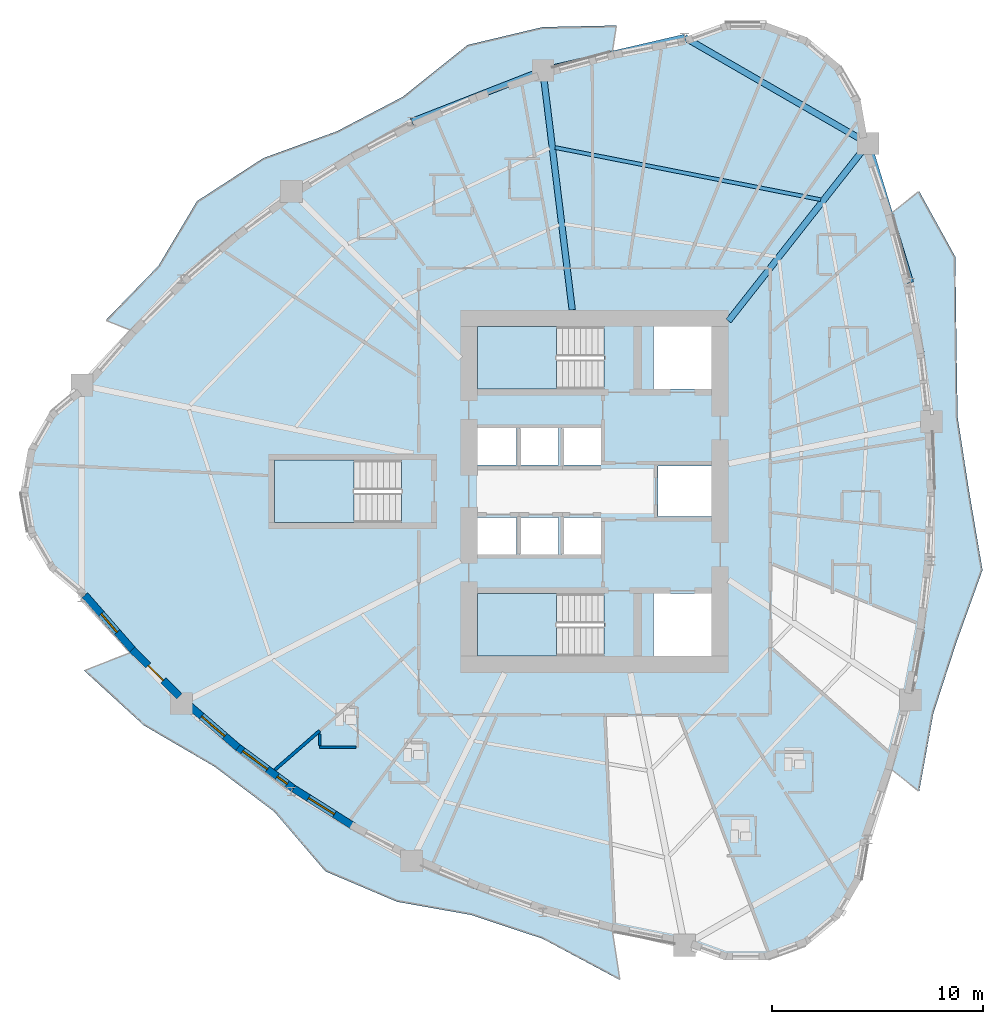
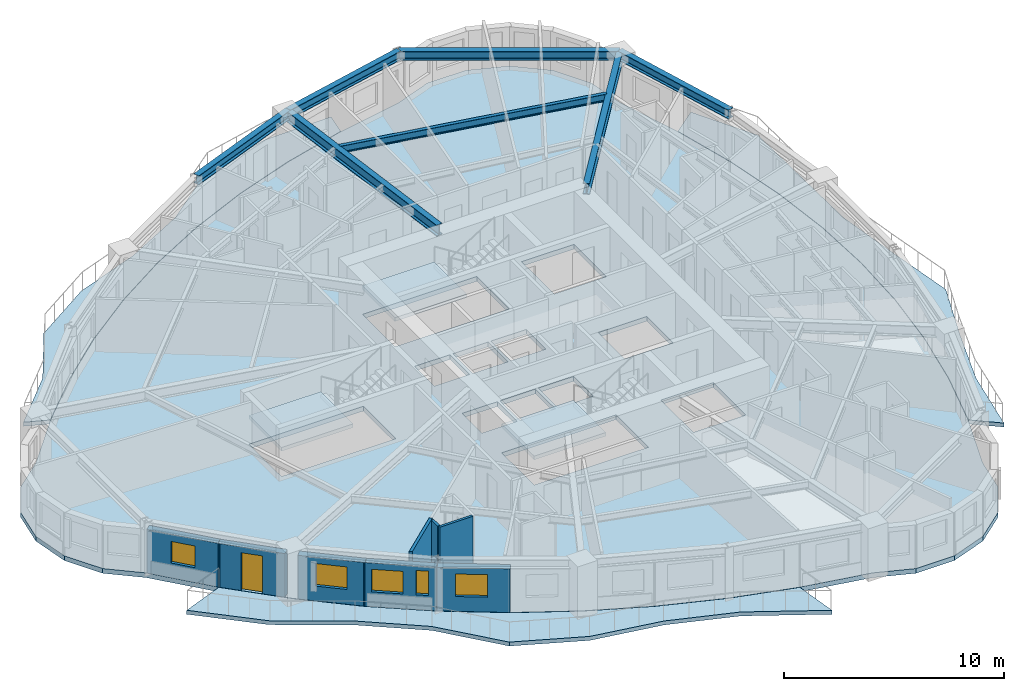
# One storey, part 2 of 14: 8 walls, 7 beams, 7 slabs, 5 windows, 1 door, 6 openings, 3 elements without a shape of their own.
"""IFC4 building model written with IfcOpenShell, lengths in metres."""

from ifc_helpers import new_model, si_unit, direction, frame, frame_2d, origin, origin_2d, place, context, subcontext, project, spatial, polyline, rectangle, i_section, outline, extrude, source, transform, mapped, material, layer, layer_set, material_profile, profile_set, type_object, element, fill, aggregate, save


model = new_model("IFC4")

# Units and contexts
model_context = context("Model", 3, precision=1e-05, world=origin(), true_north=direction((0.0, 1.0)))
body_context = subcontext(model_context, "Body", "Model", "MODEL_VIEW")
ifc_project = project(units=[si_unit("LENGTHUNIT", "METRE"), si_unit("AREAUNIT", "SQUARE_METRE"), si_unit("VOLUMEUNIT", "CUBIC_METRE"), si_unit("PLANEANGLEUNIT", "RADIAN"), si_unit("MASSUNIT", "GRAM", prefix="KILO")], contexts=[model_context])

# Site, building, storey
site_placement = place(None, origin())
site = spatial("IfcSite", under=ifc_project, at=site_placement, CompositionType="ELEMENT")
building_placement = place(site_placement, origin())
building = spatial("IfcBuilding", under=site, at=building_placement, Name="Qafzar Sky-Pleat Residences", CompositionType="ELEMENT")
storey_placement = place(building_placement, frame((0.0, 0.0, 43.0)))
storey = spatial("IfcBuildingStorey", under=building, at=storey_placement, Name="L12", CompositionType="ELEMENT", Elevation=43.0)

# Beams
ifc_material_1 = material(Name="Steel S355", Category="steel")
ifc_material_profile_1 = material_profile(ifc_material_1, i_section(OverallWidth=0.300048828125, OverallDepth=0.5, WebThickness=0.014404296875, FlangeThickness=0.028076171875, FilletRadius=0.027099609375, at=origin_2d()), Name="HEB 500")
ifc_profile_set_1 = profile_set([ifc_material_profile_1], Name="Steel S355")
beam_type_1 = type_object("IfcBeamType", Name="BM-SPAN-HEB500", PredefinedType="SPANDREL", material=ifc_profile_set_1)
shared_shape_1 = source(origin(), body_context, "Body", "SweptSolid", [
    extrude(i_section(OverallWidth=0.300048828125, OverallDepth=0.5, WebThickness=0.014404296875, FlangeThickness=0.028076171875, FilletRadius=0.027099609375, at=origin_2d()), origin(), (0.0, 0.0, 1.0), 10.0458984375),
])
beam_1_placement = place(storey_placement, frame((43.3173828125, 42.48486328125, 2.68798828125), z_axis=(-0.866024107753, 0.500002244785, 0.0), x_axis=(-0.500002244785, -0.866024107753, 0.0)))
element("IfcBeam", 1, at=beam_1_placement, inside=storey, type_object=beam_type_1, Name="L12 Perimeter Spandrel Beam 13", PredefinedType="SPANDREL", context=body_context, shape_type="MappedRepresentation", body=[
    mapped(shared_shape_1, transform((0.0, 0.0, 0.0), x_axis=(1.0, 0.0, 0.0), y_axis=(0.0, 1.0, 0.0), z_axis=(0.0, 0.0, 1.0), scale=1.0)),
])
shared_shape_2 = source(origin(), body_context, "Body", "SweptSolid", [
    extrude(i_section(OverallWidth=0.300048828125, OverallDepth=0.5, WebThickness=0.014404296875, FlangeThickness=0.028076171875, FilletRadius=0.027099609375, at=origin_2d()), origin(), (0.0, 0.0, 1.0), 6.891845703125),
])
beam_2_placement = place(storey_placement, frame((34.617431640625, 47.5078125, 2.68798828125), z_axis=(-0.974009481097, -0.226507242122, 0.0), x_axis=(0.226507242122, -0.974009481097, 0.0)))
element("IfcBeam", 2, at=beam_2_placement, inside=storey, type_object=beam_type_1, Name="L12 Perimeter Spandrel Beam 14", PredefinedType="SPANDREL", context=body_context, shape_type="MappedRepresentation", body=[
    mapped(shared_shape_2, transform((0.0, 0.0, 0.0), x_axis=(1.0, 0.0, 0.0), y_axis=(0.0, 1.0, 0.0), z_axis=(0.0, 0.0, 1.0), scale=1.0)),
])
shared_shape_3 = source(origin(), body_context, "Body", "SweptSolid", [
    extrude(i_section(OverallWidth=0.300048828125, OverallDepth=0.5, WebThickness=0.014404296875, FlangeThickness=0.028076171875, FilletRadius=0.027099609375, at=origin_2d()), origin(), (0.0, 0.0, 1.0), 6.669677734375),
])
beam_3_placement = place(storey_placement, frame((27.90478515625, 45.94677734375, 2.68798828125), z_axis=(-0.931329164227, -0.364178510981, 0.0), x_axis=(0.364178510981, -0.931329164227, 0.0)))
element("IfcBeam", 3, at=beam_3_placement, inside=storey, type_object=beam_type_1, Name="L12 Perimeter Spandrel Beam 15", PredefinedType="SPANDREL", context=body_context, shape_type="MappedRepresentation", body=[
    mapped(shared_shape_3, transform((0.0, 0.0, 0.0), x_axis=(1.0, 0.0, 0.0), y_axis=(0.0, 1.0, 0.0), z_axis=(0.0, 0.0, 1.0), scale=1.0)),
])
shared_shape_4 = source(origin(), body_context, "Body", "SweptSolid", [
    extrude(i_section(OverallWidth=0.300048828125, OverallDepth=0.5, WebThickness=0.014404296875, FlangeThickness=0.028076171875, FilletRadius=0.027099609375, at=origin_2d()), origin(), (0.0, 0.0, 1.0), 6.89208984375),
])
beam_4_placement = place(storey_placement, frame((45.322021484375, 35.890869140625, 2.68798828125), z_axis=(-0.290865585576, 0.95676392654, 0.0), x_axis=(-0.95676392654, -0.290865585576, 0.0)))
element("IfcBeam", 4, at=beam_4_placement, inside=storey, type_object=beam_type_1, Name="L12 Perimeter Spandrel Beam 12", PredefinedType="SPANDREL", context=body_context, shape_type="MappedRepresentation", body=[
    mapped(shared_shape_4, transform((0.0, 0.0, 0.0), x_axis=(1.0, 0.0, 0.0), y_axis=(0.0, 1.0, 0.0), z_axis=(0.0, 0.0, 1.0), scale=1.0)),
])
ifc_material_profile_2 = material_profile(ifc_material_1, i_section(OverallWidth=0.300048828125, OverallDepth=0.60009765625, WebThickness=0.015380859375, FlangeThickness=0.030029296875, FilletRadius=0.027099609375, at=origin_2d()), Name="HEB 600")
ifc_profile_set_2 = profile_set([ifc_material_profile_2], Name="Steel S355")
beam_type_2 = type_object("IfcBeamType", Name="BM-GIRD-HEB600", PredefinedType="BEAM", material=ifc_profile_set_2)
shared_shape_5 = source(origin(), body_context, "Body", "SweptSolid", [
    extrude(i_section(OverallWidth=0.300048828125, OverallDepth=0.60009765625, WebThickness=0.015380859375, FlangeThickness=0.030029296875, FilletRadius=0.027099609375, at=origin_2d()), origin(), (0.0, 0.0, 1.0), 10.703125),
])
beam_5_placement = place(storey_placement, frame((43.3173828125, 42.48486328125, 2.637939453125), z_axis=(-0.618267724454, -0.785967569877, 0.0), x_axis=(0.785967569877, -0.618267724454, 0.0)))
element("IfcBeam", 5, at=beam_5_placement, inside=storey, type_object=beam_type_2, Name="L12 Radial Floor Girder 13", PredefinedType="BEAM", context=body_context, shape_type="MappedRepresentation", body=[
    mapped(shared_shape_5, transform((0.0, 0.0, 0.0), x_axis=(1.0, 0.0, 0.0), y_axis=(0.0, 1.0, 0.0), z_axis=(0.0, 0.0, 1.0), scale=1.0)),
])
shared_shape_6 = source(origin(), body_context, "Body", "SweptSolid", [
    extrude(i_section(OverallWidth=0.300048828125, OverallDepth=0.60009765625, WebThickness=0.015380859375, FlangeThickness=0.030029296875, FilletRadius=0.027099609375, at=origin_2d()), origin(), (0.0, 0.0, 1.0), 11.431640625),
])
beam_6_placement = place(storey_placement, frame((27.90478515625, 45.94677734375, 2.637939453125), z_axis=(0.121668724552, -0.992570763959, 0.0), x_axis=(0.992570763959, 0.121668724552, 0.0)))
element("IfcBeam", 6, at=beam_6_placement, inside=storey, type_object=beam_type_2, Name="L12 Radial Floor Girder 15", PredefinedType="BEAM", context=body_context, shape_type="MappedRepresentation", body=[
    mapped(shared_shape_6, transform((0.0, 0.0, 0.0), x_axis=(1.0, 0.0, 0.0), y_axis=(0.0, 1.0, 0.0), z_axis=(0.0, 0.0, 1.0), scale=1.0)),
])
ifc_material_profile_3 = material_profile(ifc_material_1, i_section(OverallWidth=0.179931640625, OverallDepth=0.39990234375, WebThickness=0.008544921875, FlangeThickness=0.013427734375, FilletRadius=0.02099609375, at=origin_2d()), Name="IPE 400")
ifc_profile_set_3 = profile_set([ifc_material_profile_3], Name="Steel S355")
beam_type_3 = type_object("IfcBeamType", Name="BM-JST-IPE400", PredefinedType="JOIST", material=ifc_profile_set_3)
shared_shape_7 = source(origin(), body_context, "Body", "SweptSolid", [
    extrude(i_section(OverallWidth=0.179931640625, OverallDepth=0.39990234375, WebThickness=0.008544921875, FlangeThickness=0.013427734375, FilletRadius=0.02099609375, at=origin_2d()), origin(), (0.0, 0.0, 1.0), 12.8251953125),
])
beam_7_placement = place(storey_placement, frame((41.0673828125, 39.81884765625, 2.738037109375), z_axis=(-0.981265018358, 0.192662823986, 0.0), x_axis=(-0.192662823986, -0.981265018358, 0.0)))
element("IfcBeam", 7, at=beam_7_placement, inside=storey, type_object=beam_type_3, Name="L12 Outer Secondary Floor Joist 7", PredefinedType="JOIST", context=body_context, shape_type="MappedRepresentation", body=[
    mapped(shared_shape_7, transform((0.0, 0.0, 0.0), x_axis=(1.0, 0.0, 0.0), y_axis=(0.0, 1.0, 0.0), z_axis=(0.0, 0.0, 1.0), scale=1.0)),
])

# Slabs
ifc_material_2 = material(Name="Concrete C40/50", Category="concrete")
ifc_layer_1 = layer(ifc_material_2, 0.219970703125)
ifc_layer_set_1 = layer_set([ifc_layer_1], Name="Concrete C40/50")
slab_type_1 = type_object("IfcSlabType", Name="SLAB-BAL-220", PredefinedType="USERDEFINED", material=ifc_layer_set_1)
slab_1_placement = place(storey_placement, frame((0.0, 0.0, -0.219970703125)))
element("IfcSlab", 8, at=slab_1_placement, inside=storey, type_object=slab_type_1, Name="L12 Pleated Stone Balcony 1", ObjectType="BALCONY", PredefinedType="USERDEFINED", context=body_context, shape_type="SweptSolid", body=[
    extrude(outline(polyline([(45.33251953125, 16.10302734375), (45.959716796875, 19.402099609375), (46.336181640625, 22.700927734375), (46.461669921875, 26.0), (46.336181640625, 29.299072265625), (45.959716796875, 32.597900390625), (45.33251953125, 35.89697265625), (44.45458984375, 39.1953125), (45.732421875, 40.22021484375), (47.44970703125, 37.105712890625), (47.497314453125, 33.162841796875), (47.554443359375, 29.518310546875), (48.099609375, 26.0), (48.735595703125, 22.269287109375), (47.497314453125, 18.837158203125), (46.40771484375, 15.4892578125), (45.732421875, 11.77978515625), (44.45458984375, 12.8046875), (45.33251953125, 16.10302734375)])), origin(), (0.0, 0.0, 1.0), 0.219970703125),
])
slab_2_placement = place(storey_placement, frame((0.0, 0.0, -0.219970703125)))
element("IfcSlab", 9, at=slab_2_placement, inside=storey, type_object=slab_type_1, Name="L12 Pleated Stone Balcony 2", ObjectType="BALCONY", PredefinedType="USERDEFINED", context=body_context, shape_type="SweptSolid", body=[
    extrude(outline(polyline([(27.904541015625, 45.958740234375), (24.734375, 44.8525390625), (21.68896484375, 43.529052734375), (18.769287109375, 41.98828125), (15.974853515625, 40.22998046875), (13.30615234375, 38.254638671875), (10.7626953125, 36.06201171875), (8.34521484375, 33.65234375), (7.191650390625, 34.101318359375), (9.693603515625, 36.68603515625), (11.51611328125, 39.747314453125), (14.659423828125, 41.78662109375), (18.150146484375, 43.060302734375), (21.269775390625, 44.69384765625), (24.33642578125, 47.149169921875), (27.89501953125, 47.996826171875), (31.38818359375, 48.0712890625), (31.2001953125, 46.84765625), (27.904541015625, 45.958740234375)])), origin(), (0.0, 0.0, 1.0), 0.219970703125),
])
slab_3_placement = place(storey_placement, frame((0.0, 0.0, -0.219970703125)))
element("IfcSlab", 10, at=slab_3_placement, inside=storey, type_object=slab_type_1, Name="L12 Pleated Stone Balcony 3", ObjectType="BALCONY", PredefinedType="USERDEFINED", context=body_context, shape_type="SweptSolid", body=[
    extrude(outline(polyline([(10.7626953125, 15.93798828125), (13.30615234375, 13.745361328125), (15.974853515625, 11.77001953125), (18.769287109375, 10.01171875), (21.68896484375, 8.470947265625), (24.734375, 7.1474609375), (27.904541015625, 6.041259765625), (31.2001953125, 5.15234375), (31.553955078125, 2.848388671875), (27.898681640625, 4.80322265625), (24.52294921875, 5.927490234375), (20.998779296875, 6.553466796875), (17.603759765625, 7.993408203125), (15.17578125, 10.82421875), (12.355224609375, 12.952392578125), (9.002685546875, 14.91064453125), (6.17333984375, 17.502197265625), (8.34521484375, 18.34765625), (10.7626953125, 15.93798828125)])), origin(), (0.0, 0.0, 1.0), 0.219970703125),
])
ifc_layer_2 = layer(ifc_material_2, 0.260009765625)
ifc_layer_set_2 = layer_set([ifc_layer_2], Name="Concrete C40/50")
slab_type_2 = type_object("IfcSlabType", Name="SLAB-FLR-260", PredefinedType="FLOOR", material=ifc_layer_set_2)
slab_4_placement = place(storey_placement, frame((0.0, 0.0, -0.260009765625)))
element("IfcSlab", 11, at=slab_4_placement, inside=storey, type_object=slab_type_2, Name="L12 Structural Floor Slab", PredefinedType="FLOOR", context=body_context, shape_type="SweptSolid", body=[
    extrude(outline(polyline([(6.06494140625, 31.02294921875), (4.52197265625, 29.728271484375), (3.514892578125, 27.983642578125), (3.1650390625, 26.0), (3.514892578125, 24.016357421875), (4.52197265625, 22.271728515625), (6.06494140625, 20.97705078125), (8.3564453125, 18.35205078125), (10.773193359375, 15.944091796875), (13.315185546875, 13.753173828125), (15.982666015625, 11.779052734375), (18.775146484375, 10.022216796875), (21.693115234375, 8.482177734375), (24.736328125, 7.1591796875), (27.90478515625, 6.05322265625), (31.198486328125, 5.164306640625), (34.617431640625, 4.4921875), (36.51025390625, 3.80322265625), (38.524658203125, 3.80322265625), (40.41748046875, 4.4921875), (41.960693359375, 5.787109375), (42.9677734375, 7.531494140625), (43.3173828125, 9.51513671875), (44.445068359375, 12.812255859375), (45.322021484375, 16.109130859375), (45.948486328125, 19.406005859375), (46.32421875, 22.702880859375), (46.44970703125, 26.0), (46.32421875, 29.297119140625), (45.948486328125, 32.593994140625), (45.322021484375, 35.890869140625), (44.445068359375, 39.187744140625), (43.3173828125, 42.48486328125), (42.9677734375, 44.468505859375), (41.960693359375, 46.212890625), (40.41748046875, 47.5078125), (38.524658203125, 48.19677734375), (36.51025390625, 48.19677734375), (34.617431640625, 47.5078125), (31.198486328125, 46.835693359375), (27.90478515625, 45.94677734375), (24.736328125, 44.8408203125), (21.693115234375, 43.517822265625), (18.775146484375, 41.977783203125), (15.982666015625, 40.220947265625), (13.315185546875, 38.246826171875), (10.773193359375, 36.055908203125), (8.3564453125, 33.64794921875), (6.06494140625, 31.02294921875)]), holes=[polyline([(30.797119140625, 21.14990234375), (24.800048828125, 21.14990234375), (24.800048828125, 18.199951171875), (30.797119140625, 18.199951171875), (30.797119140625, 21.14990234375)]), polyline([(30.797119140625, 33.800048828125), (24.800048828125, 33.800048828125), (24.800048828125, 30.85009765625), (30.797119140625, 30.85009765625), (30.797119140625, 33.800048828125)]), polyline([(21.197021484375, 27.47509765625), (15.199951171875, 27.47509765625), (15.199951171875, 24.52490234375), (21.197021484375, 24.52490234375), (21.197021484375, 27.47509765625)]), polyline([(24.800048828125, 22.949951171875), (26.64990234375, 22.949951171875), (26.64990234375, 24.75), (24.800048828125, 24.75), (24.800048828125, 22.949951171875)]), polyline([(26.800048828125, 22.949951171875), (28.64990234375, 22.949951171875), (28.64990234375, 24.75), (26.800048828125, 24.75), (26.800048828125, 22.949951171875)]), polyline([(28.800048828125, 22.949951171875), (30.64990234375, 22.949951171875), (30.64990234375, 24.75), (28.800048828125, 24.75), (28.800048828125, 22.949951171875)]), polyline([(24.800048828125, 27.25), (26.64990234375, 27.25), (26.64990234375, 29.050048828125), (24.800048828125, 29.050048828125), (24.800048828125, 27.25)]), polyline([(26.800048828125, 27.25), (28.64990234375, 27.25), (28.64990234375, 29.050048828125), (26.800048828125, 29.050048828125), (26.800048828125, 27.25)]), polyline([(28.800048828125, 27.25), (30.64990234375, 27.25), (30.64990234375, 29.050048828125), (28.800048828125, 29.050048828125), (28.800048828125, 27.25)]), polyline([(33.14990234375, 18.199951171875), (35.89990234375, 18.199951171875), (35.89990234375, 21.14990234375), (33.14990234375, 21.14990234375), (33.14990234375, 18.199951171875)]), polyline([(33.14990234375, 30.85009765625), (35.89990234375, 30.85009765625), (35.89990234375, 33.800048828125), (33.14990234375, 33.800048828125), (33.14990234375, 30.85009765625)]), polyline([(33.35009765625, 24.800048828125), (35.89990234375, 24.800048828125), (35.89990234375, 27.199951171875), (33.35009765625, 27.199951171875), (33.35009765625, 24.800048828125)])]), origin(), (0.0, 0.0, 1.0), 0.260009765625),
])

# Stair, slab
stair_type = type_object("IfcStairType", Name="STAIR-H320", PredefinedType="HALF_TURN_STAIR", material=ifc_material_2)
stair_1_placement = place(storey_placement, origin())
stair_1 = element("IfcStair", 12, at=stair_1_placement, inside=storey, type_object=stair_type, Name="L12 Protected Exit Stair ST1", PredefinedType="HALF_TURN_STAIR")
ifc_layer_3 = layer(ifc_material_2, 0.199951171875)
ifc_layer_set_3 = layer_set([ifc_layer_3], Name="Concrete C40/50")
slab_type_3 = type_object("IfcSlabType", Name="SLAB-LANDING-200", PredefinedType="LANDING", material=ifc_layer_set_3)
slab_5_placement = place(storey_placement, frame((0.0, 0.0, 1.39990234375)))
slab_5 = element("IfcSlab", 13, at=slab_5_placement, type_object=slab_type_3, Name="ST1 landing 1", PredefinedType="LANDING", context=body_context, shape_type="SweptSolid", body=[
    extrude(outline(polyline([(28.56005859375, 21.14990234375), (24.800048828125, 21.14990234375), (24.800048828125, 18.199951171875), (28.56005859375, 18.199951171875), (28.56005859375, 21.14990234375)])), origin(), (0.0, 0.0, 1.0), 0.2001953125),
])
aggregate(stair_1, [slab_5])

stair_2_placement = place(storey_placement, origin())
stair_2 = element("IfcStair", 14, at=stair_2_placement, inside=storey, type_object=stair_type, Name="L12 Protected Exit Stair ST2", PredefinedType="HALF_TURN_STAIR")
slab_6_placement = place(storey_placement, frame((0.0, 0.0, 1.39990234375)))
slab_6 = element("IfcSlab", 15, at=slab_6_placement, type_object=slab_type_3, Name="ST2 landing 1", PredefinedType="LANDING", context=body_context, shape_type="SweptSolid", body=[
    extrude(outline(polyline([(28.56005859375, 33.800048828125), (24.800048828125, 33.800048828125), (24.800048828125, 30.85009765625), (28.56005859375, 30.85009765625), (28.56005859375, 33.800048828125)])), origin(), (0.0, 0.0, 1.0), 0.2001953125),
])
aggregate(stair_2, [slab_6])

stair_3_placement = place(storey_placement, origin())
stair_3 = element("IfcStair", 16, at=stair_3_placement, inside=storey, type_object=stair_type, Name="L12 Protected Exit Stair ST3", PredefinedType="HALF_TURN_STAIR")
slab_7_placement = place(storey_placement, frame((0.0, 0.0, 1.39990234375)))
slab_7 = element("IfcSlab", 17, at=slab_7_placement, type_object=slab_type_3, Name="ST3 landing 1", PredefinedType="LANDING", context=body_context, shape_type="SweptSolid", body=[
    extrude(outline(polyline([(18.9599609375, 27.47509765625), (15.199951171875, 27.47509765625), (15.199951171875, 24.52490234375), (18.9599609375, 24.52490234375), (18.9599609375, 27.47509765625)])), origin(), (0.0, 0.0, 1.0), 0.2001953125),
])
aggregate(stair_3, [slab_7])

# Walls
ifc_material_3 = material(Name="Acoustic gypsum plasterboard partition", Category="gypsum")
ifc_layer_4 = layer(ifc_material_3, 0.14501953125)
ifc_layer_set_4 = layer_set([ifc_layer_4], Name="Acoustic gypsum plasterboard partition")
wall_type_1 = type_object("IfcWallType", Name="PART-UNIT-145", PredefinedType="PARTITIONING", material=ifc_layer_set_4)
wall_1_placement = place(storey_placement, frame((15.215087890625, 12.811767578125, 0.0), z_axis=(0.0, 0.0, 1.0), x_axis=(0.753874404049, 0.657018555993, 0.0)))
element("IfcWall", 18, at=wall_1_placement, inside=storey, type_object=wall_type_1, Name="L12 Partition Wall PART-L12-PW-063", PredefinedType="PARTITIONING", context=body_context, shape_type="SweptSolid", body=[
    extrude(rectangle(XDim=2.805419921875, YDim=0.14501953125, at=frame_2d((1.40283203125, 0.0))), origin(), (0.0, 0.0, 1.0), 2.93994140625),
])
ifc_material_4 = material(Name="Moisture-resistant gypsum partition", Category="gypsum")
ifc_layer_5 = layer(ifc_material_4, 0.1298828125)
ifc_layer_set_5 = layer_set([ifc_layer_5], Name="Moisture-resistant gypsum partition")
wall_type_2 = type_object("IfcWallType", Name="PART-WET-130", PredefinedType="PARTITIONING", material=ifc_layer_set_5)
wall_2_placement = place(storey_placement, frame((17.330078125, 13.8740234375, 0.0), z_axis=(0.0, 0.0, 1.0), x_axis=(1.0, 0.0, 0.0)))
element("IfcWall", 19, at=wall_2_placement, inside=storey, type_object=wall_type_2, Name="L12 Partition Wall PART-L12-PW-077", PredefinedType="PARTITIONING", context=body_context, shape_type="SweptSolid", body=[
    extrude(rectangle(XDim=1.726806640625, YDim=0.1298828125, at=frame_2d((0.86328125, 0.0))), origin(), (0.0, 0.0, 1.0), 2.93994140625),
])
wall_3_placement = place(storey_placement, frame((17.330078125, 13.947021484375, 0.0), z_axis=(0.0, 0.0, 1.0), x_axis=(0.0, 1.0, 0.0)))
element("IfcWall", 20, at=wall_3_placement, inside=storey, type_object=wall_type_2, Name="L12 Partition Wall PART-L12-PW-106", PredefinedType="PARTITIONING", context=body_context, shape_type="SweptSolid", body=[
    extrude(rectangle(XDim=0.547119140625, YDim=0.1298828125, at=frame_2d((0.2734375, 0.0))), origin(), (0.0, 0.0, 1.0), 2.93994140625),
])

# Wall, opening, window
ifc_material_5 = material(Name="Precast concrete C40/50 with honed Riyadh limestone", Category="concrete")
ifc_layer_6 = layer(ifc_material_5, 0.35009765625)
ifc_layer_set_6 = layer_set([ifc_layer_6], Name="Precast concrete C40/50 with honed Riyadh limestone")
wall_type_3 = type_object("IfcWallType", Name="WALL-EXT-350", PredefinedType="SOLIDWALL", material=ifc_layer_set_6)
wall_4_placement = place(storey_placement, frame((6.2099609375, 21.0771484375, 0.0), z_axis=(0.0, 0.0, 1.0), x_axis=(0.657630648053, -0.75334051447, 0.0)))
wall_4 = element("IfcWall", 21, at=wall_4_placement, inside=storey, type_object=wall_type_3, Name="L12 Limestone Facade Wall 7", PredefinedType="SOLIDWALL", context=body_context, shape_type="SweptSolid", body=[
    extrude(rectangle(XDim=3.502197265625, YDim=0.35009765625, at=frame_2d((1.7509765625, 0.0))), origin(), (0.0, 0.0, 1.0), 2.419921875),
])
opening_1_placement = place(wall_4_placement, frame((1.166259765625, 0.0, 0.820068359375)))
opening_1 = element("IfcOpeningElement", 22, at=opening_1_placement, cuts=wall_4, Name="Opening WN-16", PredefinedType="OPENING", context=body_context, shape_type="SweptSolid", body=[
    extrude(rectangle(XDim=1.14990234375, YDim=1.199951171875, at=frame_2d((0.574951171875, 0.60009765625))), frame((0.0, 0.18505859375, 0.0), z_axis=(0.0, -1.0, 0.0), x_axis=(1.0, 0.0, 0.0)), (0.0, 0.0, 1.0), 0.3701171875),
])
ifc_material_6 = material(Name="Solar-control low-E glass in bronze aluminium frame", Category="glass")
window_type_1 = type_object("IfcWindowType", Name="WIN-16", PartitioningType="SINGLE_PANEL", PredefinedType="WINDOW", material=ifc_material_6)
shared_shape_8 = source(origin(), body_context, "Body", "SweptSolid", [
    extrude(rectangle(XDim=1.14990234375, YDim=1.199951171875, at=frame_2d((0.574951171875, 0.60009765625))), frame((0.0, 0.030029296875, 0.0), z_axis=(0.0, -1.0, 0.0), x_axis=(1.0, 0.0, 0.0)), (0.0, 0.0, 1.0), 0.06005859375),
])
window_1_placement = place(opening_1_placement, origin())
window_1 = element("IfcWindow", 23, at=window_1_placement, inside=storey, type_object=window_type_1, Name="L12 Punched Facade Window 07", OverallHeight=1.199951171875, OverallWidth=1.14990234375, PartitioningType="SINGLE_PANEL", PredefinedType="WINDOW", context=body_context, shape_type="MappedRepresentation", body=[
    mapped(shared_shape_8, transform((0.0, 0.0, 0.0), x_axis=(1.0, 0.0, 0.0), y_axis=(0.0, 1.0, 0.0), z_axis=(0.0, 0.0, 1.0), scale=1.0)),
])
fill(opening_1, window_1)

# Wall, opening, door
wall_5_placement = place(storey_placement, frame((8.453125, 18.5029296875, 0.0), z_axis=(0.0, 0.0, 1.0), x_axis=(0.708345957791, -0.705865429158, 0.0)))
wall_5 = element("IfcWall", 24, at=wall_5_placement, inside=storey, type_object=wall_type_3, Name="L12 Limestone Facade Wall 8", PredefinedType="SOLIDWALL", context=body_context, shape_type="SweptSolid", body=[
    extrude(rectangle(XDim=3.1494140625, YDim=0.35009765625, at=frame_2d((1.57470703125, 0.0))), origin(), (0.0, 0.0, 1.0), 2.419921875),
])
opening_2_placement = place(wall_5_placement, frame((1.07470703125, 0.0, 0.0)))
opening_2 = element("IfcOpeningElement", 25, at=opening_2_placement, cuts=wall_5, Name="Opening ED-05", PredefinedType="OPENING", context=body_context, shape_type="SweptSolid", body=[
    extrude(rectangle(XDim=1.0, YDim=2.10009765625, at=frame_2d((0.5, 1.050048828125))), frame((0.0, 0.18505859375, 0.0), z_axis=(0.0, -1.0, 0.0), x_axis=(1.0, 0.0, 0.0)), (0.0, 0.0, 1.0), 0.3701171875),
])
ifc_material_7 = material(Name="Glazed bronze aluminium door", Category="aluminium")
door_type = type_object("IfcDoorType", Name="DR-BAL-1000", OperationType="NOTDEFINED", PredefinedType="DOOR", material=ifc_material_7)
shared_shape_9 = source(origin(), body_context, "Body", "SweptSolid", [
    extrude(rectangle(XDim=1.0, YDim=2.10009765625, at=frame_2d((0.5, 1.050048828125))), frame((0.0, 0.02490234375, 0.0), z_axis=(0.0, -1.0, 0.0), x_axis=(1.0, 0.0, 0.0)), (0.0, 0.0, 1.0), 0.050048828125),
])
door_placement = place(opening_2_placement, origin())
door = element("IfcDoor", 26, at=door_placement, inside=storey, type_object=door_type, Name="L12 Glazed Balcony Door 3", OperationType="SINGLE_SWING_LEFT", OverallHeight=2.10009765625, OverallWidth=1.0, PredefinedType="DOOR", context=body_context, shape_type="MappedRepresentation", body=[
    mapped(shared_shape_9, transform((0.0, 0.0, 0.0), x_axis=(1.0, 0.0, 0.0), y_axis=(0.0, 1.0, 0.0), z_axis=(0.0, 0.0, 1.0), scale=1.0)),
])
fill(opening_2, door)

# Wall, opening, window
wall_6_placement = place(storey_placement, frame((11.11474609375, 15.880859375, 0.0), z_axis=(0.0, 0.0, 1.0), x_axis=(0.757448984216, -0.6528943531, 0.0)))
wall_6 = element("IfcWall", 27, at=wall_6_placement, inside=storey, type_object=wall_type_3, Name="L12 Limestone Facade Wall 9", PredefinedType="SOLIDWALL", context=body_context, shape_type="SweptSolid", body=[
    extrude(rectangle(XDim=3.093994140625, YDim=0.35009765625, at=frame_2d((1.546875, 0.0))), origin(), (0.0, 0.0, 1.0), 2.419921875),
])
opening_3_placement = place(wall_6_placement, frame((0.81689453125, 0.0, 0.820068359375)))
opening_3 = element("IfcOpeningElement", 28, at=opening_3_placement, cuts=wall_6, Name="Opening WN-15", PredefinedType="OPENING", context=body_context, shape_type="SweptSolid", body=[
    extrude(rectangle(XDim=1.449951171875, YDim=1.25, at=frame_2d((0.72509765625, 0.625))), frame((0.0, 0.18505859375, 0.0), z_axis=(0.0, -1.0, 0.0), x_axis=(1.0, 0.0, 0.0)), (0.0, 0.0, 1.0), 0.3701171875),
])
window_type_2 = type_object("IfcWindowType", Name="WIN-15", PartitioningType="SINGLE_PANEL", PredefinedType="WINDOW", material=ifc_material_6)
shared_shape_10 = source(origin(), body_context, "Body", "SweptSolid", [
    extrude(rectangle(XDim=1.449951171875, YDim=1.25, at=frame_2d((0.72509765625, 0.625))), frame((0.0, 0.030029296875, 0.0), z_axis=(0.0, -1.0, 0.0), x_axis=(1.0, 0.0, 0.0)), (0.0, 0.0, 1.0), 0.06005859375),
])
window_2_placement = place(opening_3_placement, origin())
window_2 = element("IfcWindow", 29, at=window_2_placement, inside=storey, type_object=window_type_2, Name="L12 Punched Facade Window 09", OverallHeight=1.25, OverallWidth=1.449951171875, PartitioningType="SINGLE_PANEL", PredefinedType="WINDOW", context=body_context, shape_type="MappedRepresentation", body=[
    mapped(shared_shape_10, transform((0.0, 0.0, 0.0), x_axis=(1.0, 0.0, 0.0), y_axis=(0.0, 1.0, 0.0), z_axis=(0.0, 0.0, 1.0), scale=1.0)),
])
fill(opening_3, window_2)

# Wall, openings, windows
wall_7_placement = place(storey_placement, frame((13.388916015625, 13.91650390625, 0.0), z_axis=(0.0, 0.0, 1.0), x_axis=(0.803777512245, -0.594930004966, 0.0)))
wall_7 = element("IfcWall", 30, at=wall_7_placement, inside=storey, type_object=wall_type_3, Name="L12 Limestone Facade Wall 10", PredefinedType="SOLIDWALL", context=body_context, shape_type="SweptSolid", body=[
    extrude(rectangle(XDim=3.336181640625, YDim=0.35009765625, at=frame_2d((1.66796875, 0.0))), origin(), (0.0, 0.0, 1.0), 2.419921875),
])
opening_4_placement = place(wall_7_placement, frame((0.373779296875, 0.0, 0.820068359375)))
opening_4 = element("IfcOpeningElement", 31, at=opening_4_placement, cuts=wall_7, Name="Opening WN-15", PredefinedType="OPENING", context=body_context, shape_type="SweptSolid", body=[
    extrude(rectangle(XDim=1.449951171875, YDim=1.25, at=frame_2d((0.72509765625, 0.625))), frame((0.0, 0.18505859375, 0.0), z_axis=(0.0, -1.0, 0.0), x_axis=(1.0, 0.0, 0.0)), (0.0, 0.0, 1.0), 0.3701171875),
])
opening_5_placement = place(wall_7_placement, frame((2.406982421875, 0.0, 0.820068359375)))
opening_5 = element("IfcOpeningElement", 32, at=opening_5_placement, cuts=wall_7, Name="Opening WN-17", PredefinedType="OPENING", context=body_context, shape_type="SweptSolid", body=[
    extrude(rectangle(XDim=0.580078125, YDim=1.35009765625, at=frame_2d((0.2900390625, 0.675048828125))), frame((0.0, 0.18505859375, 0.0), z_axis=(0.0, -1.0, 0.0), x_axis=(1.0, 0.0, 0.0)), (0.0, 0.0, 1.0), 0.3701171875),
])
window_3_placement = place(opening_4_placement, origin())
window_3 = element("IfcWindow", 33, at=window_3_placement, inside=storey, type_object=window_type_2, Name="L12 Punched Facade Window 10", OverallHeight=1.25, OverallWidth=1.449951171875, PartitioningType="SINGLE_PANEL", PredefinedType="WINDOW", context=body_context, shape_type="MappedRepresentation", body=[
    mapped(shared_shape_10, transform((0.0, 0.0, 0.0), x_axis=(1.0, 0.0, 0.0), y_axis=(0.0, 1.0, 0.0), z_axis=(0.0, 0.0, 1.0), scale=1.0)),
])
fill(opening_4, window_3)
window_type_3 = type_object("IfcWindowType", Name="WIN-17", PartitioningType="SINGLE_PANEL", PredefinedType="WINDOW", material=ifc_material_6)
shared_shape_11 = source(origin(), body_context, "Body", "SweptSolid", [
    extrude(rectangle(XDim=0.580078125, YDim=1.35009765625, at=frame_2d((0.2900390625, 0.675048828125))), frame((0.0, 0.030029296875, 0.0), z_axis=(0.0, -1.0, 0.0), x_axis=(1.0, 0.0, 0.0)), (0.0, 0.0, 1.0), 0.06005859375),
])
window_4_placement = place(opening_5_placement, origin())
window_4 = element("IfcWindow", 34, at=window_4_placement, inside=storey, type_object=window_type_3, Name="L12 Punched Facade Window 10-2", OverallHeight=1.35009765625, OverallWidth=0.580078125, PartitioningType="SINGLE_PANEL", PredefinedType="WINDOW", context=body_context, shape_type="MappedRepresentation", body=[
    mapped(shared_shape_11, transform((0.0, 0.0, 0.0), x_axis=(1.0, 0.0, 0.0), y_axis=(0.0, 1.0, 0.0), z_axis=(0.0, 0.0, 1.0), scale=1.0)),
])
fill(opening_5, window_4)

# Wall, opening, window
wall_8_placement = place(storey_placement, frame((16.0927734375, 11.91650390625, 0.0), z_axis=(0.0, 0.0, 1.0), x_axis=(0.846444167315, -0.532477484612, 0.0)))
wall_8 = element("IfcWall", 35, at=wall_8_placement, inside=storey, type_object=wall_type_3, Name="L12 Limestone Facade Wall 11", PredefinedType="SOLIDWALL", context=body_context, shape_type="SweptSolid", body=[
    extrude(rectangle(XDim=3.317138671875, YDim=0.35009765625, at=frame_2d((1.65869140625, 0.0))), origin(), (0.0, 0.0, 1.0), 2.419921875),
])
opening_6_placement = place(wall_8_placement, frame((0.833984375, 0.0, 0.820068359375)))
opening_6 = element("IfcOpeningElement", 36, at=opening_6_placement, cuts=wall_8, Name="Opening WN-15", PredefinedType="OPENING", context=body_context, shape_type="SweptSolid", body=[
    extrude(rectangle(XDim=1.449951171875, YDim=1.25, at=frame_2d((0.72509765625, 0.625))), frame((0.0, 0.18505859375, 0.0), z_axis=(0.0, -1.0, 0.0), x_axis=(1.0, 0.0, 0.0)), (0.0, 0.0, 1.0), 0.3701171875),
])
window_5_placement = place(opening_6_placement, origin())
window_5 = element("IfcWindow", 37, at=window_5_placement, inside=storey, type_object=window_type_2, Name="L12 Punched Facade Window 11", OverallHeight=1.25, OverallWidth=1.449951171875, PartitioningType="SINGLE_PANEL", PredefinedType="WINDOW", context=body_context, shape_type="MappedRepresentation", body=[
    mapped(shared_shape_10, transform((0.0, 0.0, 0.0), x_axis=(1.0, 0.0, 0.0), y_axis=(0.0, 1.0, 0.0), z_axis=(0.0, 0.0, 1.0), scale=1.0)),
])
fill(opening_6, window_5)

save(model, "model.ifc")
